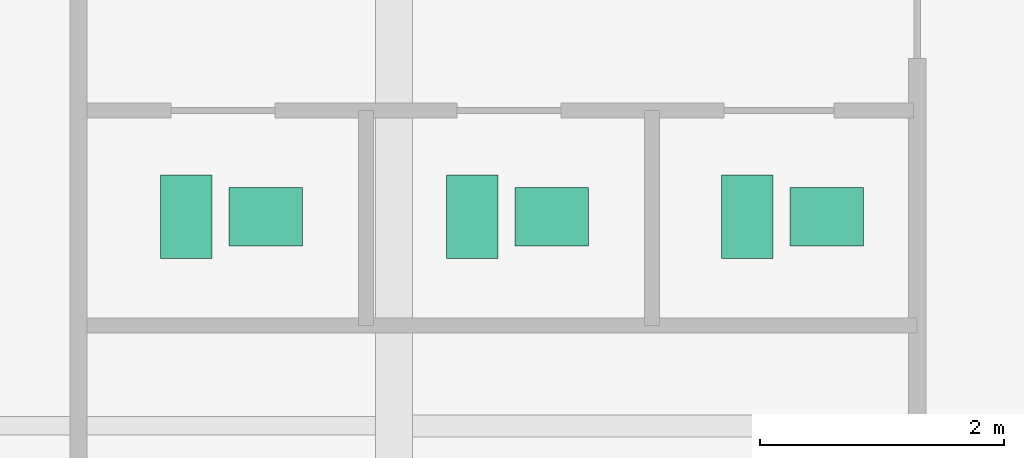
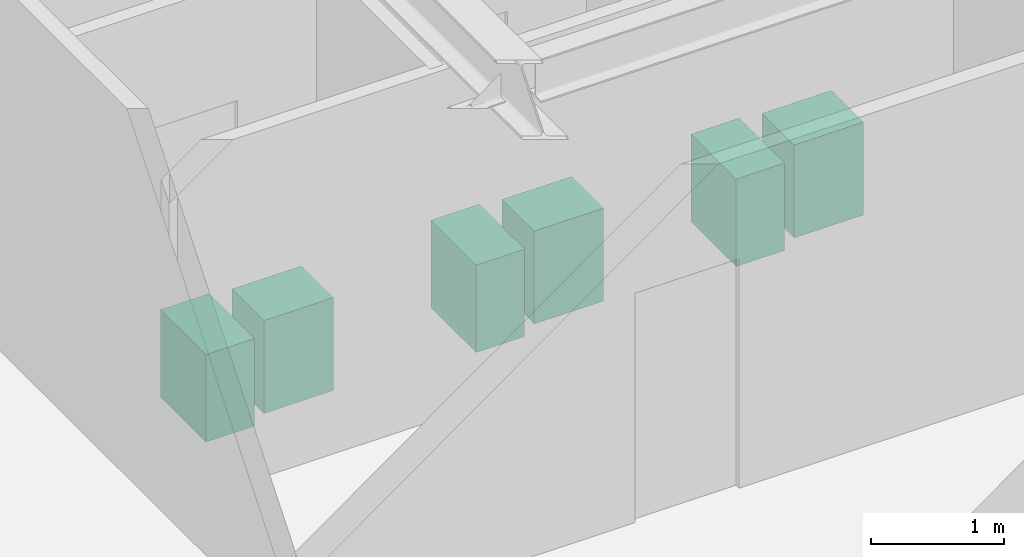
# One storey, part 24 of 24: 6 sanitary terminals.
"""IFC4 building model written with IfcOpenShell, lengths in metres."""

from ifc_helpers import new_model, si_unit, direction, frame, origin, origin_2d, place, context, subcontext, project, spatial, rectangle, extrude, source, transform, mapped, material, type_object, type_shapes, element, save


model = new_model("IFC4")

# Units and contexts
model_context = context("Model", 3, precision=1e-05, world=origin(), true_north=direction((0.0, 1.0)))
body_context = subcontext(model_context, "Body", "Model", "MODEL_VIEW")
ifc_project = project(units=[si_unit("LENGTHUNIT", "METRE"), si_unit("AREAUNIT", "SQUARE_METRE"), si_unit("VOLUMEUNIT", "CUBIC_METRE"), si_unit("PLANEANGLEUNIT", "RADIAN"), si_unit("MASSUNIT", "GRAM", prefix="KILO")], contexts=[model_context])

# Site, building, storey
site_placement = place(None, origin())
site = spatial("IfcSite", under=ifc_project, at=site_placement, CompositionType="ELEMENT")
building_placement = place(site_placement, origin())
building = spatial("IfcBuilding", under=site, at=building_placement, Name="Krantzveldt Concourse Tower", CompositionType="ELEMENT")
storey_placement = place(building_placement, frame((0.0, 0.0, 254.699951171875)))
storey = spatial("IfcBuildingStorey", under=building, at=storey_placement, Name="L62", CompositionType="ELEMENT", Elevation=254.699951171875)

# Sanitary terminals
ifc_material = material(Name="Vitreous china", Category="ceramic")
sanitary_terminal_type_1 = type_object("IfcSanitaryTerminalType", Name="SAN-WC-SUITE", PredefinedType="TOILETPAN", material=ifc_material)
shared_shape_1 = source(origin(), body_context, "Body", "SweptSolid", [
    extrude(rectangle(XDim=0.419921875, YDim=0.679931640625, at=origin_2d()), origin(), (0.0, 0.0, 1.0), 0.800048828125),
])
type_shapes(sanitary_terminal_type_1, [shared_shape_1])
for number, where, z_axis, x_axis, name in (
    (1, (28.89990234375, 31.909912109375, 0.0), (0.0, 0.0, 1.0), (1.0, 0.0, 0.0), "WC-SP-L62-WCM"),
    (2, (31.239990234375, 31.909912109375, 0.0), (0.0, 0.0, 1.0), (1.0, 0.0, 0.0), "WC-SP-L62-WCF"),
    (3, (33.489990234375, 31.909912109375, 0.0), (0.0, 0.0, 1.0), (1.0, 0.0, 0.0), "WC-SP-L62-WCA"),
):
    element("IfcSanitaryTerminal", number, at=place(storey_placement, frame(where, z_axis=z_axis, x_axis=x_axis)), inside=storey, type_object=sanitary_terminal_type_1, Name=name, PredefinedType="TOILETPAN", context=body_context, shape_type="MappedRepresentation", body=[
        mapped(shared_shape_1, transform((0.0, 0.0, 0.0), x_axis=(1.0, 0.0, 0.0), y_axis=(0.0, 1.0, 0.0), z_axis=(0.0, 0.0, 1.0), scale=1.0)),
    ])
sanitary_terminal_type_2 = type_object("IfcSanitaryTerminalType", Name="SAN-BASIN-600", PredefinedType="WASHHANDBASIN", material=ifc_material)
shared_shape_2 = source(origin(), body_context, "Body", "SweptSolid", [
    extrude(rectangle(XDim=0.60009765625, YDim=0.47998046875, at=origin_2d()), origin(), (0.0, 0.0, 1.0), 0.85009765625),
])
type_shapes(sanitary_terminal_type_2, [shared_shape_2])
for number, where, z_axis, x_axis, name in (
    (4, (29.550048828125, 31.909912109375, 0.0048828125), (0.0, 0.0, 1.0), (1.0, 0.0, 0.0), "BSN-SP-L62-WCM"),
    (5, (31.889892578125, 31.909912109375, 0.0048828125), (0.0, 0.0, 1.0), (1.0, 0.0, 0.0), "BSN-SP-L62-WCF"),
    (6, (34.139892578125, 31.909912109375, 0.0048828125), (0.0, 0.0, 1.0), (1.0, 0.0, 0.0), "BSN-SP-L62-WCA"),
):
    element("IfcSanitaryTerminal", number, at=place(storey_placement, frame(where, z_axis=z_axis, x_axis=x_axis)), inside=storey, type_object=sanitary_terminal_type_2, Name=name, PredefinedType="WASHHANDBASIN", context=body_context, shape_type="MappedRepresentation", body=[
        mapped(shared_shape_2, transform((0.0, 0.0, 0.0), x_axis=(1.0, 0.0, 0.0), y_axis=(0.0, 1.0, 0.0), z_axis=(0.0, 0.0, 1.0), scale=1.0)),
    ])

save(model, "model.ifc")
